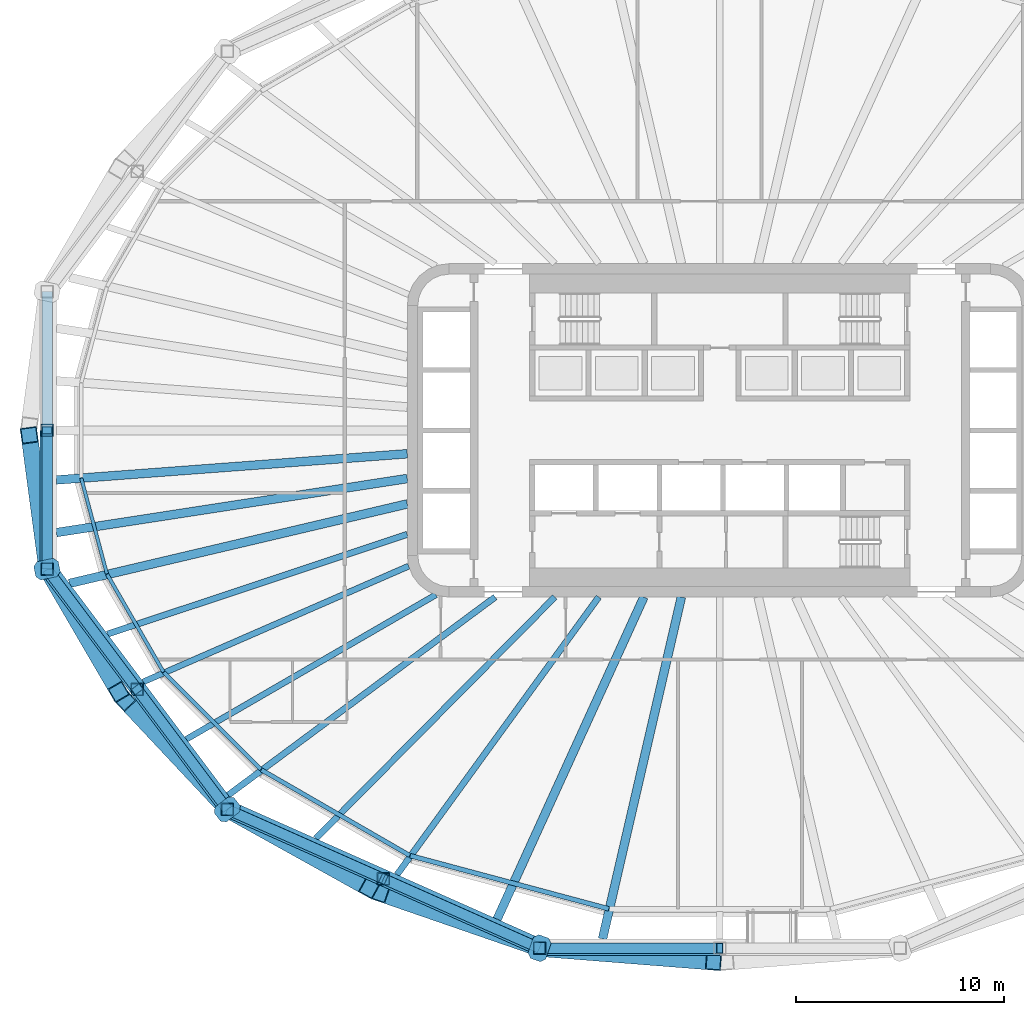
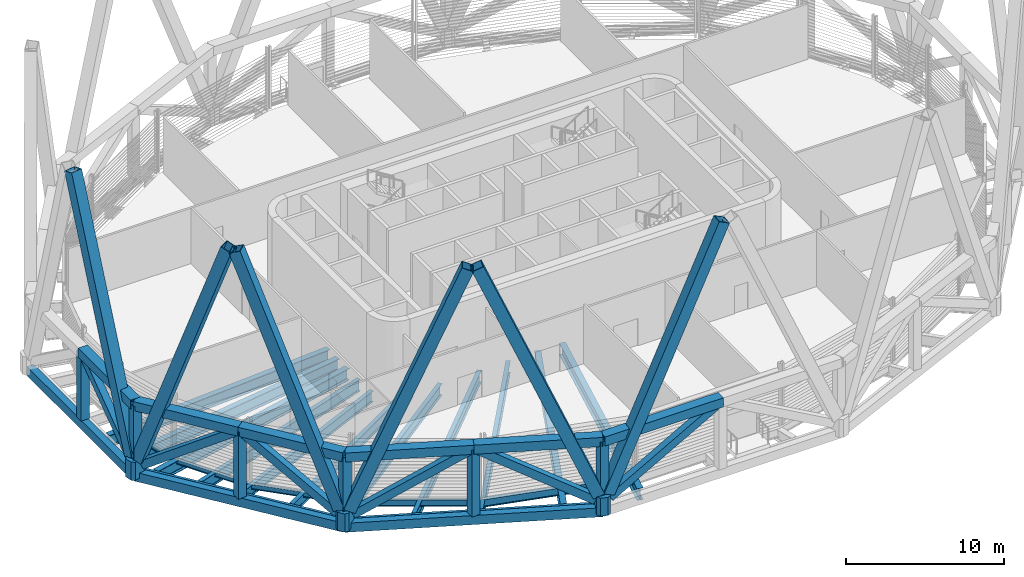
# One storey, part 1 of 18: 27 members, 21 beams.
"""IFC4 building model written with IfcOpenShell, lengths in metres."""

from ifc_helpers import new_model, si_unit, direction, frame, origin, origin_2d, place, context, subcontext, project, spatial, polyline, hollow_rectangle, i_section, outline, extrude, material, material_profile, profile_set, type_object, element, save


model = new_model("IFC4")

# Units and contexts
model_context = context("Model", 3, precision=1e-05, world=origin(), true_north=direction((0.0, 1.0)))
body_context = subcontext(model_context, "Body", "Model", "MODEL_VIEW")
ifc_project = project(units=[si_unit("LENGTHUNIT", "METRE"), si_unit("AREAUNIT", "SQUARE_METRE"), si_unit("VOLUMEUNIT", "CUBIC_METRE"), si_unit("PLANEANGLEUNIT", "RADIAN"), si_unit("MASSUNIT", "GRAM", prefix="KILO")], contexts=[model_context])

# Site, building, storey
site_placement = place(None, origin())
site = spatial("IfcSite", under=ifc_project, at=site_placement, CompositionType="ELEMENT")
building_placement = place(site_placement, origin())
building = spatial("IfcBuilding", under=site, at=building_placement, Name="Sahrelin Media Tower", CompositionType="ELEMENT")
storey_placement = place(building_placement, frame((0.0, 0.0, 197.60009765625)))
storey = spatial("IfcBuildingStorey", under=building, at=storey_placement, Name="L42", CompositionType="ELEMENT", Elevation=197.60009765625)

# Members
ifc_material_1 = material(Name="Steel S460", Category="steel")
ifc_material_profile_1 = material_profile(ifc_material_1, hollow_rectangle(XDim=0.699951171875, YDim=0.699951171875, WallThickness=0.044921875, at=origin_2d()), Name="Belt truss chord BC")
ifc_profile_set_1 = profile_set([ifc_material_profile_1], Name="Steel S460")
member_type_1 = type_object("IfcMemberType", Name="Belt truss chord BC", PredefinedType="CHORD", material=ifc_profile_set_1)
member_1_placement = place(storey_placement, frame((-32.288330078125, 0.0, 4.849853515625), z_axis=(0.0, -1.0, 0.0), x_axis=(1.0, 0.0, 0.0)))
element("IfcMember", 1, at=member_1_placement, inside=storey, type_object=member_type_1, Name="Belt truss member BT09-05-T2", PredefinedType="CHORD", context=body_context, shape_type="SweptSolid", body=[
    extrude(hollow_rectangle(XDim=0.699951171875, YDim=0.699951171875, WallThickness=0.044921875, at=origin_2d()), origin(), (0.0, 0.0, 1.0), 6.6591796875),
])
for number, where, z_axis, x_axis, name in (
    (2, (-32.288330078125, -6.6591796875, 4.849853515625), (0.600070438811, -0.799947166046, 0.0), (0.799947166046, 0.600070438811, 0.0), "Belt truss member BT09-06-T1"),
    (3, (-27.96240234375, -12.426025390625, 4.849853515625), (0.600032510579, -0.799975616034, 0.0), (0.799975616034, 0.600032510579, 0.0), "Belt truss member BT09-06-T2"),
):
    element("IfcMember", number, at=place(storey_placement, frame(where, z_axis=z_axis, x_axis=x_axis)), inside=storey, type_object=member_type_1, Name=name, PredefinedType="CHORD", context=body_context, shape_type="SweptSolid", body=[
        extrude(hollow_rectangle(XDim=0.699951171875, YDim=0.699951171875, WallThickness=0.044921875, at=origin_2d()), origin(), (0.0, 0.0, 1.0), 7.208984375),
    ])
member_2_placement = place(storey_placement, frame((-23.63671875, -18.193115234375, 4.849853515625), z_axis=(0.913833649239, -0.406088736016, 0.0), x_axis=(0.406088736016, 0.913833649239, 0.0)))
element("IfcMember", 4, at=member_2_placement, inside=storey, type_object=member_type_1, Name="Belt truss member BT09-07-T1", PredefinedType="CHORD", context=body_context, shape_type="SweptSolid", body=[
    extrude(hollow_rectangle(XDim=0.699951171875, YDim=0.699951171875, WallThickness=0.044921875, at=origin_2d()), origin(), (0.0, 0.0, 1.0), 8.19921875),
])
member_3_placement = place(storey_placement, frame((-16.14404296875, -21.522705078125, 4.849853515625), z_axis=(0.913828738692, -0.406099786187, 0.0), x_axis=(0.406099786187, 0.913828738692, 0.0)))
element("IfcMember", 5, at=member_3_placement, inside=storey, type_object=member_type_1, Name="Belt truss member BT09-07-T2", PredefinedType="CHORD", context=body_context, shape_type="SweptSolid", body=[
    extrude(hollow_rectangle(XDim=0.699951171875, YDim=0.699951171875, WallThickness=0.044921875, at=origin_2d()), origin(), (0.0, 0.0, 1.0), 8.198974609375),
])
member_4_placement = place(storey_placement, frame((-8.651611328125, -24.852294921875, 4.849853515625), z_axis=(1.0, 0.0, 0.0), x_axis=(0.0, 1.0, 0.0)))
element("IfcMember", 6, at=member_4_placement, inside=storey, type_object=member_type_1, Name="Belt truss member BT09-08-T1", PredefinedType="CHORD", context=body_context, shape_type="SweptSolid", body=[
    extrude(hollow_rectangle(XDim=0.699951171875, YDim=0.699951171875, WallThickness=0.044921875, at=origin_2d()), origin(), (0.0, 0.0, 1.0), 8.651611328125),
])
ifc_material_profile_2 = material_profile(ifc_material_1, hollow_rectangle(XDim=0.5, YDim=0.60009765625, WallThickness=0.030029296875, at=origin_2d()), Name="Belt truss diagonal BD")
ifc_profile_set_2 = profile_set([ifc_material_profile_2], Name="Steel S460")
member_type_2 = type_object("IfcMemberType", Name="Belt truss diagonal BD", PredefinedType="BRACE", material=ifc_profile_set_2)
member_5_placement = place(storey_placement, frame((-32.288330078125, -6.19970703125, 0.33447265625), z_axis=(0.0, 0.808332578732, 0.588726118124), x_axis=(-1.0, 0.0, 0.0)))
element("IfcMember", 7, at=member_5_placement, inside=storey, type_object=member_type_2, Name="Belt truss member BT09-05-X2", PredefinedType="BRACE", context=body_context, shape_type="SweptSolid", body=[
    extrude(hollow_rectangle(XDim=0.5, YDim=0.60009765625, WallThickness=0.030029296875, at=origin_2d()), origin(), (0.0, 0.0, 1.0), 7.669677734375),
])
member_6_placement = place(storey_placement, frame((-31.98974609375, -7.056884765625, 0.33447265625), z_axis=(0.497864181258, -0.663738425935, 0.558195807005), x_axis=(0.79996507838, 0.600046559338, 0.0)))
element("IfcMember", 8, at=member_6_placement, inside=storey, type_object=member_type_2, Name="Belt truss member BT09-06-X1", PredefinedType="BRACE", context=body_context, shape_type="SweptSolid", body=[
    extrude(hollow_rectangle(XDim=0.5, YDim=0.60009765625, WallThickness=0.030029296875, at=origin_2d()), origin(), (0.0, 0.0, 1.0), 8.08935546875),
])
member_7_placement = place(storey_placement, frame((-23.906494140625, -17.8330078125, 0.302734375), z_axis=(-0.497883709861, 0.663735058225, 0.558182393075), x_axis=(-0.799952318915, -0.600063569519, 0.0)))
element("IfcMember", 9, at=member_7_placement, inside=storey, type_object=member_type_2, Name="Belt truss member BT09-06-X2", PredefinedType="BRACE", context=body_context, shape_type="SweptSolid", body=[
    extrude(hollow_rectangle(XDim=0.5, YDim=0.60009765625, WallThickness=0.030029296875, at=origin_2d()), origin(), (0.0, 0.0, 1.0), 8.146240234375),
])
member_8_placement = place(storey_placement, frame((-23.1689453125, -18.40087890625, 0.302734375), z_axis=(0.786532796821, -0.349530648257, 0.509111466629), x_axis=(0.406100158654, 0.913828573169, 0.0)))
element("IfcMember", 10, at=member_8_placement, inside=storey, type_object=member_type_2, Name="Belt truss member BT09-07-X1", PredefinedType="BRACE", context=body_context, shape_type="SweptSolid", body=[
    extrude(hollow_rectangle(XDim=0.5, YDim=0.60009765625, WallThickness=0.030029296875, at=origin_2d()), origin(), (0.0, 0.0, 1.0), 8.931396484375),
])
member_9_placement = place(storey_placement, frame((-9.064208984375, -24.668701171875, 0.26708984375), z_axis=(-0.78653625123, 0.349505366852, 0.509123486045), x_axis=(-0.406074139919, -0.913840135302, 0.0)))
element("IfcMember", 11, at=member_9_placement, inside=storey, type_object=member_type_2, Name="Belt truss member BT09-07-X2", PredefinedType="BRACE", context=body_context, shape_type="SweptSolid", body=[
    extrude(hollow_rectangle(XDim=0.5, YDim=0.60009765625, WallThickness=0.030029296875, at=origin_2d()), origin(), (0.0, 0.0, 1.0), 9.001220703125),
])
member_10_placement = place(storey_placement, frame((-8.175048828125, -24.852294921875, 0.26708984375), z_axis=(0.872290485618, 0.0, 0.488988045559), x_axis=(0.0, 1.0, 0.0)))
element("IfcMember", 12, at=member_10_placement, inside=storey, type_object=member_type_2, Name="Belt truss member BT09-08-X1", PredefinedType="BRACE", context=body_context, shape_type="SweptSolid", body=[
    extrude(hollow_rectangle(XDim=0.5, YDim=0.60009765625, WallThickness=0.030029296875, at=origin_2d()), origin(), (0.0, 0.0, 1.0), 9.371826171875),
])
ifc_material_profile_3 = material_profile(ifc_material_1, hollow_rectangle(XDim=0.60009765625, YDim=0.60009765625, WallThickness=0.034912109375, at=origin_2d()), Name="Belt truss post BP")
ifc_profile_set_3 = profile_set([ifc_material_profile_3], Name="Steel S460")
member_type_3 = type_object("IfcMemberType", Name="Belt truss post BP", PredefinedType="POST", material=ifc_profile_set_3)
member_11_placement = place(storey_placement, frame((-32.288330078125, 0.0, -0.320068359375), z_axis=(0.0, 0.0, 1.0), x_axis=(1.0, 0.0, 0.0)))
element("IfcMember", 13, at=member_11_placement, inside=storey, type_object=member_type_3, Name="Belt truss member BT09-05-P1", PredefinedType="POST", context=body_context, shape_type="SweptSolid", body=[
    extrude(hollow_rectangle(XDim=0.60009765625, YDim=0.60009765625, WallThickness=0.034912109375, at=origin_2d()), origin(), (0.0, 0.0, 1.0), 5.169921875),
])
member_12_placement = place(storey_placement, frame((-32.288330078125, -6.6591796875, 0.699951171875), z_axis=(0.0, 0.0, 1.0), x_axis=(1.0, 0.0, 0.0)))
element("IfcMember", 14, at=member_12_placement, inside=storey, type_object=member_type_3, Name="Belt truss member BT09-06-P0", PredefinedType="POST", context=body_context, shape_type="SweptSolid", body=[
    extrude(hollow_rectangle(XDim=0.60009765625, YDim=0.60009765625, WallThickness=0.034912109375, at=origin_2d()), origin(), (0.0, 0.0, 1.0), 4.14990234375),
])
member_13_placement = place(storey_placement, frame((-27.96240234375, -12.426025390625, -0.320068359375), z_axis=(0.0, 0.0, 1.0), x_axis=(1.0, 0.0, 0.0)))
element("IfcMember", 15, at=member_13_placement, inside=storey, type_object=member_type_3, Name="Belt truss member BT09-06-P1", PredefinedType="POST", context=body_context, shape_type="SweptSolid", body=[
    extrude(hollow_rectangle(XDim=0.60009765625, YDim=0.60009765625, WallThickness=0.034912109375, at=origin_2d()), origin(), (0.0, 0.0, 1.0), 5.169921875),
])
member_14_placement = place(storey_placement, frame((-23.63671875, -18.193115234375, 0.699951171875), z_axis=(0.0, 0.0, 1.0), x_axis=(1.0, 0.0, 0.0)))
element("IfcMember", 16, at=member_14_placement, inside=storey, type_object=member_type_3, Name="Belt truss member BT09-07-P0", PredefinedType="POST", context=body_context, shape_type="SweptSolid", body=[
    extrude(hollow_rectangle(XDim=0.60009765625, YDim=0.60009765625, WallThickness=0.034912109375, at=origin_2d()), origin(), (0.0, 0.0, 1.0), 4.14990234375),
])
member_15_placement = place(storey_placement, frame((-16.14404296875, -21.522705078125, -0.320068359375), z_axis=(0.0, 0.0, 1.0), x_axis=(1.0, 0.0, 0.0)))
element("IfcMember", 17, at=member_15_placement, inside=storey, type_object=member_type_3, Name="Belt truss member BT09-07-P1", PredefinedType="POST", context=body_context, shape_type="SweptSolid", body=[
    extrude(hollow_rectangle(XDim=0.60009765625, YDim=0.60009765625, WallThickness=0.034912109375, at=origin_2d()), origin(), (0.0, 0.0, 1.0), 5.169921875),
])
member_16_placement = place(storey_placement, frame((-8.651611328125, -24.852294921875, 0.699951171875), z_axis=(0.0, 0.0, 1.0), x_axis=(1.0, 0.0, 0.0)))
element("IfcMember", 18, at=member_16_placement, inside=storey, type_object=member_type_3, Name="Belt truss member BT09-08-P0", PredefinedType="POST", context=body_context, shape_type="SweptSolid", body=[
    extrude(hollow_rectangle(XDim=0.60009765625, YDim=0.60009765625, WallThickness=0.034912109375, at=origin_2d()), origin(), (0.0, 0.0, 1.0), 4.14990234375),
])
ifc_material_profile_4 = material_profile(ifc_material_1, hollow_rectangle(XDim=0.800048828125, YDim=0.800048828125, WallThickness=0.044921875, at=origin_2d()), Name="Diagrid diagonal DG5")
ifc_profile_set_4 = profile_set([ifc_material_profile_4], Name="Steel S460")
member_type_4 = type_object("IfcMemberType", Name="Diagrid diagonal DG5", PredefinedType="BRACE", material=ifc_profile_set_4)
member_17_placement = place(storey_placement, frame((-32.319091796875, -6.426025390625, 0.699951171875), z_axis=(-0.041882656654, 0.315625510602, 0.947959060365), x_axis=(-0.991310304721, -0.131544212162, 0.0)))
element("IfcMember", 19, at=member_17_placement, inside=storey, type_object=member_type_4, Name="Diagrid diagonal D09-12", PredefinedType="BRACE", context=body_context, shape_type="SweptSolid", body=[
    extrude(hollow_rectangle(XDim=0.800048828125, YDim=0.800048828125, WallThickness=0.044921875, at=origin_2d()), origin(), (0.0, 0.0, 1.0), 19.620849609375),
])
member_18_placement = place(storey_placement, frame((-32.163818359375, -6.872802734375, 0.699951171875), z_axis=(0.16786215952, -0.287905137059, 0.94283239627), x_axis=(0.863886627627, 0.503686305757, 0.0)))
element("IfcMember", 20, at=member_18_placement, inside=storey, type_object=member_type_4, Name="Diagrid diagonal D09-13", PredefinedType="BRACE", context=body_context, shape_type="SweptSolid", body=[
    extrude(hollow_rectangle(XDim=0.800048828125, YDim=0.800048828125, WallThickness=0.044921875, at=origin_2d()), origin(), (0.0, 0.0, 1.0), 19.7275390625),
])
member_19_placement = place(storey_placement, frame((-23.814697265625, -18.003173828125, 0.699951171875), z_axis=(-0.238573725504, 0.254320354115, 0.937231953671), x_axis=(-0.729324834274, -0.684167586276, 0.0)))
element("IfcMember", 21, at=member_19_placement, inside=storey, type_object=member_type_4, Name="Diagrid diagonal D09-14", PredefinedType="BRACE", context=body_context, shape_type="SweptSolid", body=[
    extrude(hollow_rectangle(XDim=0.800048828125, YDim=0.800048828125, WallThickness=0.044921875, at=origin_2d()), origin(), (0.0, 0.0, 1.0), 19.845458984375),
])
member_20_placement = place(storey_placement, frame((-23.389892578125, -18.330078125, 0.699951171875), z_axis=(0.326945813054, -0.181708248993, 0.927409589973), x_axis=(0.485789373897, 0.874075903002, 0.0)))
element("IfcMember", 22, at=member_20_placement, inside=storey, type_object=member_type_4, Name="Diagrid diagonal D09-15", PredefinedType="BRACE", context=body_context, shape_type="SweptSolid", body=[
    extrude(hollow_rectangle(XDim=0.800048828125, YDim=0.800048828125, WallThickness=0.044921875, at=origin_2d()), origin(), (0.0, 0.0, 1.0), 20.0556640625),
])
member_21_placement = place(storey_placement, frame((-8.92919921875, -24.75634765625, 0.699951171875), z_axis=(-0.365804045069, 0.12635634696, 0.922074549152), x_axis=(-0.326491805711, -0.945200032165, 0.0)))
element("IfcMember", 23, at=member_21_placement, inside=storey, type_object=member_type_4, Name="Diagrid diagonal D09-16", PredefinedType="BRACE", context=body_context, shape_type="SweptSolid", body=[
    extrude(hollow_rectangle(XDim=0.800048828125, YDim=0.800048828125, WallThickness=0.044921875, at=origin_2d()), origin(), (0.0, 0.0, 1.0), 20.171630859375),
])
member_22_placement = place(storey_placement, frame((-8.348876953125, -24.8759765625, 0.699951171875), z_axis=(0.396841182378, -0.031186657231, 0.917357328624), x_axis=(0.078345692671, 0.996926252257, 0.0)))
element("IfcMember", 24, at=member_22_placement, inside=storey, type_object=member_type_4, Name="Diagrid diagonal D09-17", PredefinedType="BRACE", context=body_context, shape_type="SweptSolid", body=[
    extrude(hollow_rectangle(XDim=0.800048828125, YDim=0.800048828125, WallThickness=0.044921875, at=origin_2d()), origin(), (0.0, 0.0, 1.0), 20.275390625),
])
ifc_material_profile_5 = material_profile(ifc_material_1, outline(polyline([(0.39990234375, -0.449951171875), (0.60009765625, -0.25), (0.60009765625, 0.25), (0.39990234375, 0.449951171875), (-0.39990234375, 0.449951171875), (-0.60009765625, 0.25), (-0.60009765625, -0.25), (-0.39990234375, -0.449951171875), (0.39990234375, -0.449951171875)])), Name="Diagrid node block 1200")
ifc_profile_set_5 = profile_set([ifc_material_profile_5], Name="Steel S460")
member_type_5 = type_object("IfcMemberType", Name="Diagrid node block 1200", PredefinedType="USERDEFINED", material=ifc_profile_set_5)
for number, where, z_axis, x_axis, name in (
    (25, (-32.288330078125, -6.6591796875, -0.7001953125), (0.0, 0.0, 1.0), (-0.979388123462, -0.201987384808, 0.0), "Diagrid node N09-06"),
    (26, (-23.63671875, -18.193115234375, -0.7001953125), (0.0, 0.0, 1.0), (-0.792446158195, -0.609941871297, 0.0), "Diagrid node N09-07"),
    (27, (-8.651611328125, -24.852294921875, -0.7001953125), (0.0, 0.0, 1.0), (-0.328769398381, -0.944410230085, 0.0), "Diagrid node N09-08"),
):
    element("IfcMember", number, at=place(storey_placement, frame(where, z_axis=z_axis, x_axis=x_axis)), inside=storey, type_object=member_type_5, Name=name, ObjectType="NODE", PredefinedType="USERDEFINED", context=body_context, shape_type="SweptSolid", body=[
        extrude(outline(polyline([(0.39990234375, -0.449951171875), (0.60009765625, -0.25), (0.60009765625, 0.25), (0.39990234375, 0.449951171875), (-0.39990234375, 0.449951171875), (-0.60009765625, 0.25), (-0.60009765625, -0.25), (-0.39990234375, -0.449951171875), (0.39990234375, -0.449951171875)])), origin(), (0.0, 0.0, 1.0), 1.400146484375),
    ])

# Beams
ifc_material_profile_6 = material_profile(ifc_material_1, hollow_rectangle(XDim=0.5, YDim=0.699951171875, WallThickness=0.034912109375, at=origin_2d()), Name="Diagrid ring beam RB2")
ifc_profile_set_6 = profile_set([ifc_material_profile_6], Name="Steel S460")
beam_type_1 = type_object("IfcBeamType", Name="Diagrid ring beam RB2", PredefinedType="BEAM", material=ifc_profile_set_6)
beam_1_placement = place(storey_placement, frame((-32.288330078125, 6.6591796875, -0.650146484375), z_axis=(0.0, -1.0, 0.0), x_axis=(1.0, 0.0, 0.0)))
element("IfcBeam", 28, at=beam_1_placement, inside=storey, type_object=beam_type_1, Name="Diagrid ring beam RB09-05", PredefinedType="BEAM", context=body_context, shape_type="SweptSolid", body=[
    extrude(hollow_rectangle(XDim=0.5, YDim=0.699951171875, WallThickness=0.034912109375, at=origin_2d()), origin(), (0.0, 0.0, 1.0), 13.318359375),
])
beam_2_placement = place(storey_placement, frame((-32.288330078125, -6.6591796875, -0.650146484375), z_axis=(0.600051474799, -0.799961391313, 0.0), x_axis=(0.799961391313, 0.600051474799, 0.0)))
element("IfcBeam", 29, at=beam_2_placement, inside=storey, type_object=beam_type_1, Name="Diagrid ring beam RB09-06", PredefinedType="BEAM", context=body_context, shape_type="SweptSolid", body=[
    extrude(hollow_rectangle(XDim=0.5, YDim=0.699951171875, WallThickness=0.034912109375, at=origin_2d()), origin(), (0.0, 0.0, 1.0), 14.418212890625),
])
beam_3_placement = place(storey_placement, frame((-23.63671875, -18.193115234375, -0.650146484375), z_axis=(0.913831194015, -0.406094261033, 0.0), x_axis=(0.406094261033, 0.913831194015, 0.0)))
element("IfcBeam", 30, at=beam_3_placement, inside=storey, type_object=beam_type_1, Name="Diagrid ring beam RB09-07", PredefinedType="BEAM", context=body_context, shape_type="SweptSolid", body=[
    extrude(hollow_rectangle(XDim=0.5, YDim=0.699951171875, WallThickness=0.034912109375, at=origin_2d()), origin(), (0.0, 0.0, 1.0), 16.398193359375),
])
ifc_material_2 = material(Name="Steel S355", Category="steel")
ifc_material_profile_7 = material_profile(ifc_material_2, i_section(OverallWidth=0.1650390625, OverallDepth=0.303466796875, WebThickness=0.006103515625, FlangeThickness=0.01025390625, FilletRadius=0.0087890625, at=origin_2d()), Name="UB 305x165x40")
ifc_profile_set_7 = profile_set([ifc_material_profile_7], Name="Steel S355")
beam_type_2 = type_object("IfcBeamType", Name="Edge beam EB2", PredefinedType="BEAM", material=ifc_profile_set_7)
beam_4_placement = place(storey_placement, frame((-29.41748046875, -6.880615234375, -0.451904296875), z_axis=(-0.258840645059, 0.965920038339, 0.0), x_axis=(-0.965920038339, -0.258840645059, 0.0)))
element("IfcBeam", 31, at=beam_4_placement, inside=storey, type_object=beam_type_2, Name="Edge beam L42-12", PredefinedType="BEAM", context=body_context, shape_type="SweptSolid", body=[
    extrude(i_section(OverallWidth=0.1650390625, OverallDepth=0.303466796875, WebThickness=0.006103515625, FlangeThickness=0.01025390625, FilletRadius=0.0087890625, at=origin_2d()), origin(), (0.0, 0.0, 1.0), 4.746337890625),
])
ifc_material_profile_8 = material_profile(ifc_material_2, i_section(OverallWidth=0.17138671875, OverallDepth=0.35498046875, WebThickness=0.00732421875, FlangeThickness=0.011474609375, FilletRadius=0.01025390625, at=origin_2d()), Name="UB 356x171x51")
ifc_profile_set_8 = profile_set([ifc_material_profile_8], Name="Steel S355")
beam_type_3 = type_object("IfcBeamType", Name="Edge beam EB3", PredefinedType="BEAM", material=ifc_profile_set_8)
beam_5_placement = place(storey_placement, frame((-26.701904296875, -11.592041015625, -0.4775390625), z_axis=(-0.499973789888, 0.866040535671, 0.0), x_axis=(-0.866040535671, -0.499973789888, 0.0)))
element("IfcBeam", 32, at=beam_5_placement, inside=storey, type_object=beam_type_3, Name="Edge beam L42-11", PredefinedType="BEAM", context=body_context, shape_type="SweptSolid", body=[
    extrude(i_section(OverallWidth=0.17138671875, OverallDepth=0.35498046875, WebThickness=0.00732421875, FlangeThickness=0.011474609375, FilletRadius=0.01025390625, at=origin_2d()), origin(), (0.0, 0.0, 1.0), 5.409423828125),
])
ifc_material_profile_9 = material_profile(ifc_material_2, i_section(OverallWidth=0.177978515625, OverallDepth=0.406494140625, WebThickness=0.0078125, FlangeThickness=0.0126953125, FilletRadius=0.01025390625, at=origin_2d()), Name="UB 406x178x60")
ifc_profile_set_9 = profile_set([ifc_material_profile_9], Name="Steel S355")
beam_type_4 = type_object("IfcBeamType", Name="Edge beam EB4", PredefinedType="BEAM", material=ifc_profile_set_9)
beam_6_placement = place(storey_placement, frame((-22.02734375, -16.271728515625, -0.50341796875), z_axis=(-0.707125316339, 0.707088245549, 0.0), x_axis=(-0.707088245549, -0.707125316339, 0.0)))
element("IfcBeam", 33, at=beam_6_placement, inside=storey, type_object=beam_type_4, Name="Edge beam L42-10", PredefinedType="BEAM", context=body_context, shape_type="SweptSolid", body=[
    extrude(i_section(OverallWidth=0.177978515625, OverallDepth=0.406494140625, WebThickness=0.0078125, FlangeThickness=0.0126953125, FilletRadius=0.01025390625, at=origin_2d()), origin(), (0.0, 0.0, 1.0), 6.585693359375),
])
ifc_material_profile_10 = material_profile(ifc_material_2, i_section(OverallWidth=0.208740234375, OverallDepth=0.5283203125, WebThickness=0.009521484375, FlangeThickness=0.01318359375, FilletRadius=0.0126953125, at=origin_2d()), Name="UB 533x210x82")
ifc_profile_set_10 = profile_set([ifc_material_profile_10], Name="Steel S355")
beam_type_5 = type_object("IfcBeamType", Name="Edge beam EB6", PredefinedType="BEAM", material=ifc_profile_set_10)
beam_7_placement = place(storey_placement, frame((-14.883056640625, -20.40087890625, -0.564208984375), z_axis=(-0.866021932652, 0.500006012129, 0.0), x_axis=(-0.500006012129, -0.866021932652, 0.0)))
element("IfcBeam", 34, at=beam_7_placement, inside=storey, type_object=beam_type_5, Name="Edge beam L42-09", PredefinedType="BEAM", context=body_context, shape_type="SweptSolid", body=[
    extrude(i_section(OverallWidth=0.208740234375, OverallDepth=0.5283203125, WebThickness=0.009521484375, FlangeThickness=0.01318359375, FilletRadius=0.0126953125, at=origin_2d()), origin(), (0.0, 0.0, 1.0), 8.22314453125),
])
ifc_material_profile_11 = material_profile(ifc_material_2, i_section(OverallWidth=0.2275390625, OverallDepth=0.6025390625, WebThickness=0.010498046875, FlangeThickness=0.014892578125, FilletRadius=0.0126953125, at=origin_2d()), Name="UB 610x229x101")
ifc_profile_set_11 = profile_set([ifc_material_profile_11], Name="Steel S355")
beam_type_6 = type_object("IfcBeamType", Name="Edge beam EB7", PredefinedType="BEAM", material=ifc_profile_set_11)
beam_8_placement = place(storey_placement, frame((-5.32666015625, -22.96533203125, -0.601318359375), z_axis=(-0.9659328091, 0.258792983491, 0.0), x_axis=(-0.258792983491, -0.9659328091, 0.0)))
element("IfcBeam", 35, at=beam_8_placement, inside=storey, type_object=beam_type_6, Name="Edge beam L42-08", PredefinedType="BEAM", context=body_context, shape_type="SweptSolid", body=[
    extrude(i_section(OverallWidth=0.2275390625, OverallDepth=0.6025390625, WebThickness=0.010498046875, FlangeThickness=0.014892578125, FilletRadius=0.0126953125, at=origin_2d()), origin(), (0.0, 0.0, 1.0), 9.865966796875),
])
ifc_material_profile_12 = material_profile(ifc_material_2, i_section(OverallWidth=0.291748046875, OverallDepth=0.8349609375, WebThickness=0.013916015625, FlangeThickness=0.018798828125, FilletRadius=0.017822265625, at=origin_2d()), Name="UB 838x292x176")
ifc_profile_set_12 = profile_set([ifc_material_profile_12], Name="Steel S355")
beam_type_7 = type_object("IfcBeamType", Name="Radial primary beam PB10", PredefinedType="BEAM", material=ifc_profile_set_12)
beam_9_placement = place(storey_placement, frame((-14.932373046875, -6.513671875, -0.717529296875), z_axis=(-0.916592987985, -0.399821578178, 0.0), x_axis=(0.399821578178, -0.916592987985, 0.0)))
element("IfcBeam", 36, at=beam_9_placement, inside=storey, type_object=beam_type_7, Name="Radial beam L42-15", PredefinedType="BEAM", context=body_context, shape_type="SweptSolid", body=[
    extrude(i_section(OverallWidth=0.291748046875, OverallDepth=0.8349609375, WebThickness=0.013916015625, FlangeThickness=0.018798828125, FilletRadius=0.017822265625, at=origin_2d()), origin(), (0.0, 0.0, 1.0), 13.89892578125),
])
ifc_material_profile_13 = material_profile(ifc_material_2, i_section(OverallWidth=0.30322265625, OverallDepth=0.903076171875, WebThickness=0.01513671875, FlangeThickness=0.020263671875, FilletRadius=0.01904296875, at=origin_2d()), Name="UB 914x305x201")
ifc_profile_set_13 = profile_set([ifc_material_profile_13], Name="Steel S355")
beam_type_8 = type_object("IfcBeamType", Name="Radial primary beam PB11", PredefinedType="BEAM", material=ifc_profile_set_13)
beam_10_placement = place(storey_placement, frame((-10.78369140625, -8.0, -0.751708984375), z_axis=(-0.803127556371, -0.595807123319, 0.0), x_axis=(0.595807123319, -0.803127556371, 0.0)))
element("IfcBeam", 37, at=beam_10_placement, inside=storey, type_object=beam_type_8, Name="Radial beam L42-16", PredefinedType="BEAM", context=body_context, shape_type="SweptSolid", body=[
    extrude(i_section(OverallWidth=0.30322265625, OverallDepth=0.903076171875, WebThickness=0.01513671875, FlangeThickness=0.020263671875, FilletRadius=0.01904296875, at=origin_2d()), origin(), (0.0, 0.0, 1.0), 15.952880859375),
])
beam_11_placement = place(storey_placement, frame((-5.81201171875, -8.0, -0.751708984375), z_axis=(-0.58777324028, -0.809025721477, 0.0), x_axis=(0.809025721477, -0.58777324028, 0.0)))
element("IfcBeam", 38, at=beam_11_placement, inside=storey, type_object=beam_type_8, Name="Radial beam L42-17", PredefinedType="BEAM", context=body_context, shape_type="SweptSolid", body=[
    extrude(i_section(OverallWidth=0.30322265625, OverallDepth=0.903076171875, WebThickness=0.01513671875, FlangeThickness=0.020263671875, FilletRadius=0.01904296875, at=origin_2d()), origin(), (0.0, 0.0, 1.0), 16.469970703125),
])
ifc_material_profile_14 = material_profile(ifc_material_2, i_section(OverallWidth=0.41845703125, OverallDepth=0.911865234375, WebThickness=0.019287109375, FlangeThickness=0.031982421875, FilletRadius=0.024169921875, at=origin_2d()), Name="UB 914x419x343")
ifc_profile_set_14 = profile_set([ifc_material_profile_14], Name="Steel S355")
beam_type_9 = type_object("IfcBeamType", Name="Radial primary beam PB12", PredefinedType="BEAM", material=ifc_profile_set_14)
beam_12_placement = place(storey_placement, frame((-15.0, -1.12109375, -0.756103515625), z_axis=(-0.997218869088, -0.074528700068, 0.0), x_axis=(0.074528700068, -0.997218869088, 0.0)))
element("IfcBeam", 39, at=beam_12_placement, inside=storey, type_object=beam_type_9, Name="Radial beam L42-13", PredefinedType="BEAM", context=body_context, shape_type="SweptSolid", body=[
    extrude(i_section(OverallWidth=0.41845703125, OverallDepth=0.911865234375, WebThickness=0.019287109375, FlangeThickness=0.031982421875, FilletRadius=0.024169921875, at=origin_2d()), origin(), (0.0, 0.0, 1.0), 16.889892578125),
])
beam_13_placement = place(storey_placement, frame((-15.0, -3.52880859375, -0.756103515625), z_axis=(-0.973427353013, -0.228996044522, 0.0), x_axis=(0.228996044522, -0.973427353013, 0.0)))
element("IfcBeam", 40, at=beam_13_placement, inside=storey, type_object=beam_type_9, Name="Radial beam L42-14", PredefinedType="BEAM", context=body_context, shape_type="SweptSolid", body=[
    extrude(i_section(OverallWidth=0.41845703125, OverallDepth=0.911865234375, WebThickness=0.019287109375, FlangeThickness=0.031982421875, FilletRadius=0.024169921875, at=origin_2d()), origin(), (0.0, 0.0, 1.0), 16.660400390625),
])
beam_14_placement = place(storey_placement, frame((-1.84521484375, -8.0, -0.756103515625), z_axis=(-0.224747253769, -0.974417093407, 0.0), x_axis=(0.974417093407, -0.224747253769, 0.0)))
element("IfcBeam", 41, at=beam_14_placement, inside=storey, type_object=beam_type_9, Name="Radial beam L42-18", PredefinedType="BEAM", context=body_context, shape_type="SweptSolid", body=[
    extrude(i_section(OverallWidth=0.41845703125, OverallDepth=0.911865234375, WebThickness=0.019287109375, FlangeThickness=0.031982421875, FilletRadius=0.024169921875, at=origin_2d()), origin(), (0.0, 0.0, 1.0), 16.83740234375),
])
ifc_material_profile_15 = material_profile(ifc_material_2, i_section(OverallWidth=0.291748046875, OverallDepth=0.8349609375, WebThickness=0.013916015625, FlangeThickness=0.018798828125, FilletRadius=0.017822265625, at=origin_2d()), Name="UB 838x292x176")
ifc_profile_set_15 = profile_set([ifc_material_profile_15], Name="Steel S355")
beam_type_10 = type_object("IfcBeamType", Name="Radial secondary beam SB10", PredefinedType="BEAM", material=ifc_profile_set_15)
beam_15_placement = place(storey_placement, frame((-13.624267578125, -7.8876953125, -0.717529296875), z_axis=(-0.865415419841, -0.501055037996, 0.0), x_axis=(0.501055037996, -0.865415419841, 0.0)))
element("IfcBeam", 42, at=beam_15_placement, inside=storey, type_object=beam_type_10, Name="Secondary beam L42-15", PredefinedType="BEAM", context=body_context, shape_type="SweptSolid", body=[
    extrude(i_section(OverallWidth=0.291748046875, OverallDepth=0.8349609375, WebThickness=0.013916015625, FlangeThickness=0.018798828125, FilletRadius=0.017822265625, at=origin_2d()), origin(), (0.0, 0.0, 1.0), 13.84521484375),
])
ifc_material_profile_16 = material_profile(ifc_material_2, i_section(OverallWidth=0.30322265625, OverallDepth=0.903076171875, WebThickness=0.01513671875, FlangeThickness=0.020263671875, FilletRadius=0.01904296875, at=origin_2d()), Name="UB 914x305x201")
ifc_profile_set_16 = profile_set([ifc_material_profile_16], Name="Steel S355")
beam_type_11 = type_object("IfcBeamType", Name="Radial secondary beam SB11", PredefinedType="BEAM", material=ifc_profile_set_16)
beam_16_placement = place(storey_placement, frame((-15.0, -4.990478515625, -0.751708984375), z_axis=(-0.948856999938, -0.315706182499, 0.0), x_axis=(0.315706182499, -0.948856999938, 0.0)))
element("IfcBeam", 43, at=beam_16_placement, inside=storey, type_object=beam_type_11, Name="Secondary beam L42-14", PredefinedType="BEAM", context=body_context, shape_type="SweptSolid", body=[
    extrude(i_section(OverallWidth=0.30322265625, OverallDepth=0.903076171875, WebThickness=0.01513671875, FlangeThickness=0.020263671875, FilletRadius=0.01904296875, at=origin_2d()), origin(), (0.0, 0.0, 1.0), 15.1669921875),
])
beam_17_placement = place(storey_placement, frame((-7.920654296875, -8.0, -0.751708984375), z_axis=(-0.703572795113, -0.710623192681, 0.0), x_axis=(0.710623192681, -0.703572795113, 0.0)))
element("IfcBeam", 44, at=beam_17_placement, inside=storey, type_object=beam_type_11, Name="Secondary beam L42-16", PredefinedType="BEAM", context=body_context, shape_type="SweptSolid", body=[
    extrude(i_section(OverallWidth=0.30322265625, OverallDepth=0.903076171875, WebThickness=0.01513671875, FlangeThickness=0.020263671875, FilletRadius=0.01904296875, at=origin_2d()), origin(), (0.0, 0.0, 1.0), 16.309814453125),
])
ifc_material_profile_17 = material_profile(ifc_material_2, i_section(OverallWidth=0.41845703125, OverallDepth=0.911865234375, WebThickness=0.019287109375, FlangeThickness=0.031982421875, FilletRadius=0.024169921875, at=origin_2d()), Name="UB 914x419x343")
ifc_profile_set_17 = profile_set([ifc_material_profile_17], Name="Steel S355")
beam_type_12 = type_object("IfcBeamType", Name="Radial secondary beam SB12", PredefinedType="BEAM", material=ifc_profile_set_17)
beam_18_placement = place(storey_placement, frame((-15.0, -2.310302734375, -0.756103515625), z_axis=(-0.988343027912, -0.152243420801, 0.0), x_axis=(0.152243420801, -0.988343027912, 0.0)))
element("IfcBeam", 45, at=beam_18_placement, inside=storey, type_object=beam_type_12, Name="Secondary beam L42-13", PredefinedType="BEAM", context=body_context, shape_type="SweptSolid", body=[
    extrude(i_section(OverallWidth=0.41845703125, OverallDepth=0.911865234375, WebThickness=0.019287109375, FlangeThickness=0.031982421875, FilletRadius=0.024169921875, at=origin_2d()), origin(), (0.0, 0.0, 1.0), 17.041748046875),
])
beam_19_placement = place(storey_placement, frame((-3.644775390625, -8.0, -0.756103515625), z_axis=(-0.414586695092, -0.910009819866, 0.0), x_axis=(0.910009819866, -0.414586695092, 0.0)))
element("IfcBeam", 46, at=beam_19_placement, inside=storey, type_object=beam_type_12, Name="Secondary beam L42-17", PredefinedType="BEAM", context=body_context, shape_type="SweptSolid", body=[
    extrude(i_section(OverallWidth=0.41845703125, OverallDepth=0.911865234375, WebThickness=0.019287109375, FlangeThickness=0.031982421875, FilletRadius=0.024169921875, at=origin_2d()), origin(), (0.0, 0.0, 1.0), 16.988525390625),
])
ifc_material_profile_18 = material_profile(ifc_material_2, i_section(OverallWidth=0.1904296875, OverallDepth=0.45703125, WebThickness=0.009033203125, FlangeThickness=0.014404296875, FilletRadius=0.01025390625, at=origin_2d()), Name="UB 457x191x74")
ifc_profile_set_18 = profile_set([ifc_material_profile_18], Name="Steel S355")
beam_type_13 = type_object("IfcBeamType", Name="Tie chord TC5", PredefinedType="BEAM", material=ifc_profile_set_18)
beam_20_placement = place(storey_placement, frame((-8.577392578125, -24.501953125, -0.528564453125), z_axis=(-0.913828293648, 0.406100787649, 0.0), x_axis=(-0.406100787649, -0.913828293648, 0.0)))
element("IfcBeam", 47, at=beam_20_placement, inside=storey, type_object=beam_type_13, Name="Tie chord L42-05", PredefinedType="BEAM", context=body_context, shape_type="SweptSolid", body=[
    extrude(i_section(OverallWidth=0.1904296875, OverallDepth=0.45703125, WebThickness=0.009033203125, FlangeThickness=0.014404296875, FilletRadius=0.01025390625, at=origin_2d()), origin(), (0.0, 0.0, 1.0), 16.232421875),
])
beam_21_placement = place(storey_placement, frame((-23.4111328125, -17.909912109375, -0.528564453125), z_axis=(-0.600057726032, 0.799956702221, 0.0), x_axis=(-0.799956702221, -0.600057726032, 0.0)))
element("IfcBeam", 48, at=beam_21_placement, inside=storey, type_object=beam_type_13, Name="Tie chord L42-06", PredefinedType="BEAM", context=body_context, shape_type="SweptSolid", body=[
    extrude(i_section(OverallWidth=0.1904296875, OverallDepth=0.45703125, WebThickness=0.009033203125, FlangeThickness=0.014404296875, FilletRadius=0.01025390625, at=origin_2d()), origin(), (0.0, 0.0, 1.0), 14.2099609375),
])

save(model, "model.ifc")
